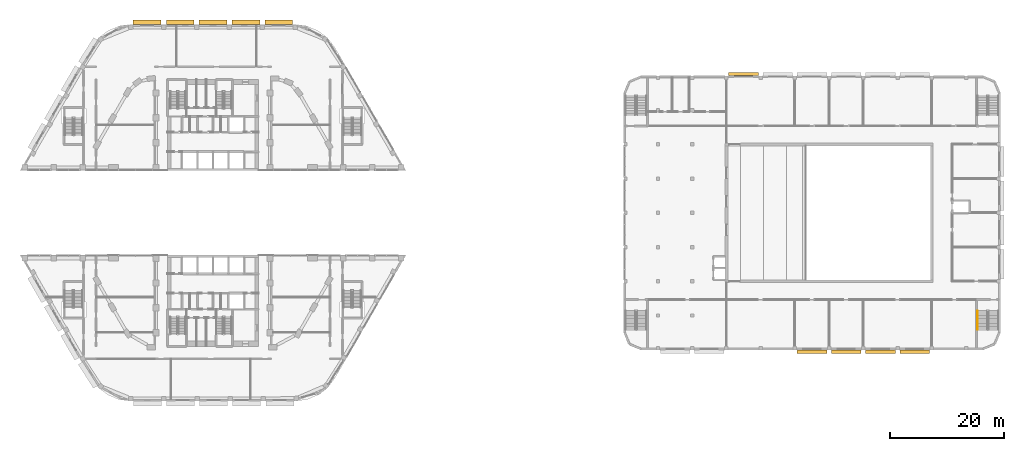
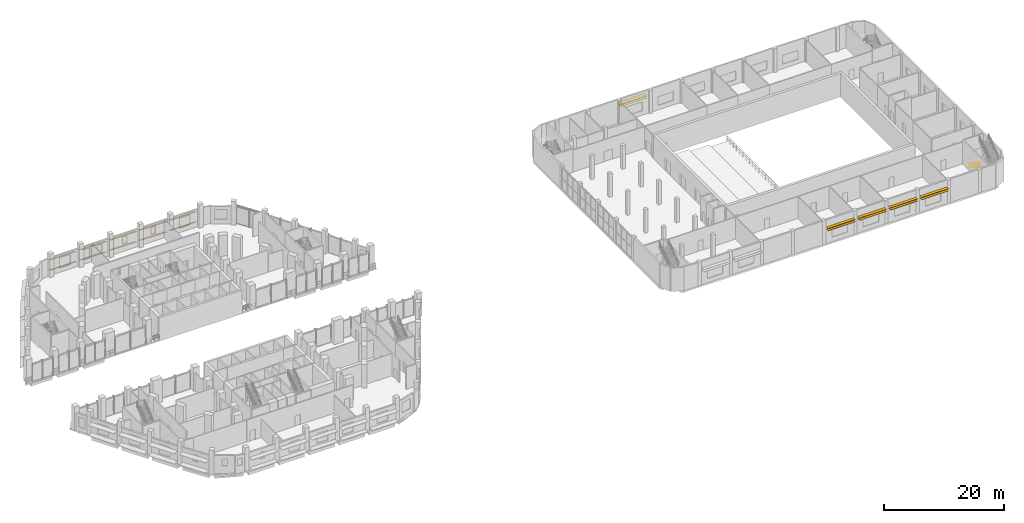
# One storey, part 42 of 45: 20 shading devices, 1 railing.
"""IFC4 building model written with IfcOpenShell, lengths in metres."""

from ifc_helpers import new_model, si_unit, direction, frame, origin, origin_2d, place, context, subcontext, project, spatial, rectangle, circle, extrude, material, material_profile, profile_set, type_object, element, save


model = new_model("IFC4")

# Units and contexts
model_context = context("Model", 3, precision=1e-05, world=origin(), true_north=direction((0.0, 1.0)))
body_context = subcontext(model_context, "Body", "Model", "MODEL_VIEW")
ifc_project = project(units=[si_unit("LENGTHUNIT", "METRE"), si_unit("AREAUNIT", "SQUARE_METRE"), si_unit("VOLUMEUNIT", "CUBIC_METRE"), si_unit("PLANEANGLEUNIT", "RADIAN"), si_unit("MASSUNIT", "GRAM", prefix="KILO")], contexts=[model_context])

# Site, building, storey
site_placement = place(None, origin())
site = spatial("IfcSite", under=ifc_project, at=site_placement, CompositionType="ELEMENT")
building_placement = place(site_placement, origin())
building = spatial("IfcBuilding", under=site, at=building_placement, Name="Nakaniwa Court", CompositionType="ELEMENT")
storey_placement = place(building_placement, frame((0.0, 0.0, 6.60009765625)))
storey = spatial("IfcBuildingStorey", under=building, at=storey_placement, Name="L01", CompositionType="ELEMENT", Elevation=6.60009765625)

# Shading devices
ifc_material_1 = material(Name="Perforated charcoal ceramic louvre blade")
ifc_material_profile_1 = material_profile(ifc_material_1, rectangle(XDim=0.60009765625, YDim=0.050048828125, at=origin_2d()), Name="Hall perforated ceramic louvre blade")
ifc_profile_set_1 = profile_set([ifc_material_profile_1], Name="Perforated charcoal ceramic louvre blade")
shading_device_type_1 = type_object("IfcShadingDeviceType", Name="Hall perforated ceramic louvre blade", PredefinedType="JALOUSIE", material=ifc_profile_set_1)
for number, where, z_axis, x_axis, name in (
    (1, (170.39990234375, 104.332275390625, 3.0), (1.0, 0.0, 0.0), (0.0, 0.866025403784, 0.5), "Louvre blade L01 013.1"),
    (2, (170.39990234375, 104.332275390625, 3.449951171875), (1.0, 0.0, 0.0), (0.0, 0.866025403784, 0.5), "Louvre blade L01 013.2"),
    (3, (205.60009765625, 55.639892578125, 3.0), (-1.0, 0.0, 0.0), (0.0, -1.0, 0.0), "Louvre blade L01 033.1"),
    (4, (205.60009765625, 55.639892578125, 3.449951171875), (-1.0, 0.0, 0.0), (0.0, -1.0, 0.0), "Louvre blade L01 033.2"),
    (5, (199.60009765625, 55.639892578125, 3.0), (-1.0, 0.0, 0.0), (0.0, -1.0, 0.0), "Louvre blade L01 034.1"),
    (6, (199.60009765625, 55.639892578125, 3.449951171875), (-1.0, 0.0, 0.0), (0.0, -1.0, 0.0), "Louvre blade L01 034.2"),
    (7, (193.60009765625, 55.639892578125, 3.0), (-1.0, 0.0, 0.0), (0.0, -1.0, 0.0), "Louvre blade L01 035.1"),
    (8, (193.60009765625, 55.639892578125, 3.449951171875), (-1.0, 0.0, 0.0), (0.0, -1.0, 0.0), "Louvre blade L01 035.2"),
    (9, (187.60009765625, 55.639892578125, 3.0), (-1.0, 0.0, 0.0), (0.0, -1.0, 0.0), "Louvre blade L01 036.1"),
    (10, (187.60009765625, 55.639892578125, 3.449951171875), (-1.0, 0.0, 0.0), (0.0, -1.0, 0.0), "Louvre blade L01 036.2"),
):
    element("IfcShadingDevice", number, at=place(storey_placement, frame(where, z_axis=z_axis, x_axis=x_axis)), inside=storey, type_object=shading_device_type_1, Name=name, PredefinedType="JALOUSIE", context=body_context, shape_type="SweptSolid", body=[
        extrude(rectangle(XDim=0.60009765625, YDim=0.050048828125, at=origin_2d()), origin(), (0.0, 0.0, 1.0), 5.2001953125),
    ])

# Railing
ifc_material_2 = material(Name="Brushed stainless steel handrail Grade 304", Category="steel")
railing_type = type_object("IfcRailingType", Name="Hall stair handrail 900", PredefinedType="HANDRAIL", material=ifc_material_2)
railing_placement = place(storey_placement, frame((214.0, 62.860107421875, 0.1845703125)))
element("IfcRailing", 11, at=railing_placement, inside=storey, type_object=railing_type, Name="L01 ST-H3 stair handrail 1", PredefinedType="HANDRAIL", context=body_context, shape_type="SweptSolid", body=[
    extrude(circle(Radius=0.02392578125, at=origin_2d()), frame((0.0, 0.0, 0.8759765625), z_axis=(0.0, -0.834876476806, 0.550437342915), x_axis=(1.0, 0.0, 0.0)), (0.0, 0.0, 1.0), 4.024658203125),
    extrude(circle(Radius=0.02099609375, at=origin_2d()), origin(), (0.0, 0.0, 1.0), 0.851806640625),
    extrude(circle(Radius=0.02099609375, at=origin_2d()), frame((0.0, -0.840087890625, 0.5537109375)), (0.0, 0.0, 1.0), 0.851806640625),
    extrude(circle(Radius=0.02099609375, at=origin_2d()), frame((0.0, -1.68017578125, 1.107666015625)), (0.0, 0.0, 1.0), 0.851806640625),
    extrude(circle(Radius=0.02099609375, at=origin_2d()), frame((0.0, -2.52001953125, 1.66162109375)), (0.0, 0.0, 1.0), 0.851806640625),
    extrude(circle(Radius=0.02099609375, at=origin_2d()), frame((0.0, -3.360107421875, 2.21533203125)), (0.0, 0.0, 1.0), 0.851806640625),
])

# Shading devices
ifc_material_profile_2 = material_profile(ifc_material_1, rectangle(XDim=0.89990234375, YDim=0.050048828125, at=origin_2d()), Name="Perforated ceramic louvre blade")
ifc_profile_set_2 = profile_set([ifc_material_profile_2], Name="Perforated charcoal ceramic louvre blade")
shading_device_type_2 = type_object("IfcShadingDeviceType", Name="Perforated ceramic louvre blade", PredefinedType="JALOUSIE", material=ifc_profile_set_2)
for number, where, z_axis, x_axis, name in (
    (12, (93.958251953125, 113.402099609375, 0.5498046875), (-1.0, 0.0, 0.0), (0.0, -0.866025403784, 0.5), "L01 perforated ceramic louvre blade w46 1"),
    (13, (93.958251953125, 113.402099609375, 2.64990234375), (-1.0, 0.0, 0.0), (0.0, -0.866025403784, 0.5), "L01 perforated ceramic louvre blade w46 2"),
    (14, (88.196533203125, 113.402099609375, 0.5498046875), (-1.0, 0.0, 0.0), (0.0, -0.866025403784, 0.5), "L01 perforated ceramic louvre blade w47 1"),
    (15, (88.196533203125, 113.402099609375, 2.64990234375), (-1.0, 0.0, 0.0), (0.0, -0.866025403784, 0.5), "L01 perforated ceramic louvre blade w47 2"),
    (16, (82.434814453125, 113.402099609375, 0.5498046875), (-1.0, 0.0, 0.0), (0.0, -0.866025403784, 0.5), "L01 perforated ceramic louvre blade w48 1"),
    (17, (82.434814453125, 113.402099609375, 2.64990234375), (-1.0, 0.0, 0.0), (0.0, -0.866025403784, 0.5), "L01 perforated ceramic louvre blade w48 2"),
    (18, (76.673095703125, 113.402099609375, 0.5498046875), (-1.0, 0.0, 0.0), (0.0, -0.866025403784, 0.5), "L01 perforated ceramic louvre blade w49 1"),
    (19, (76.673095703125, 113.402099609375, 2.64990234375), (-1.0, 0.0, 0.0), (0.0, -0.866025403784, 0.5), "L01 perforated ceramic louvre blade w49 2"),
):
    element("IfcShadingDevice", number, at=place(storey_placement, frame(where, z_axis=z_axis, x_axis=x_axis)), inside=storey, type_object=shading_device_type_2, Name=name, PredefinedType="JALOUSIE", context=body_context, shape_type="SweptSolid", body=[
        extrude(rectangle(XDim=0.89990234375, YDim=0.050048828125, at=origin_2d()), origin(), (0.0, 0.0, 1.0), 4.86962890625),
    ])
for number, where, z_axis, x_axis, name in (
    (20, (70.911376953125, 113.402099609375, 0.5498046875), (-1.0, 0.0, 0.0), (0.0, -0.866025403784, 0.5), "L01 perforated ceramic louvre blade w50 1"),
    (21, (70.911376953125, 113.402099609375, 2.64990234375), (-1.0, 0.0, 0.0), (0.0, -0.866025403784, 0.5), "L01 perforated ceramic louvre blade w50 2"),
):
    element("IfcShadingDevice", number, at=place(storey_placement, frame(where, z_axis=z_axis, x_axis=x_axis)), inside=storey, type_object=shading_device_type_2, Name=name, PredefinedType="JALOUSIE", context=body_context, shape_type="SweptSolid", body=[
        extrude(rectangle(XDim=0.89990234375, YDim=0.050048828125, at=origin_2d()), origin(), (0.0, 0.0, 1.0), 4.90576171875),
    ])

save(model, "model.ifc")
